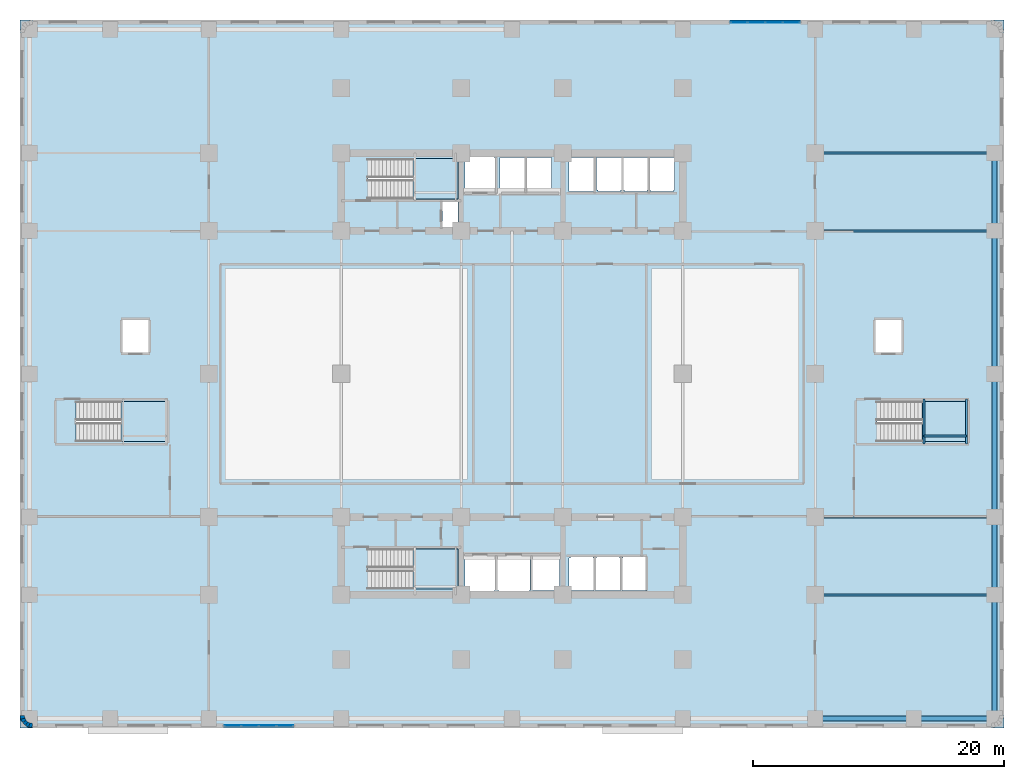
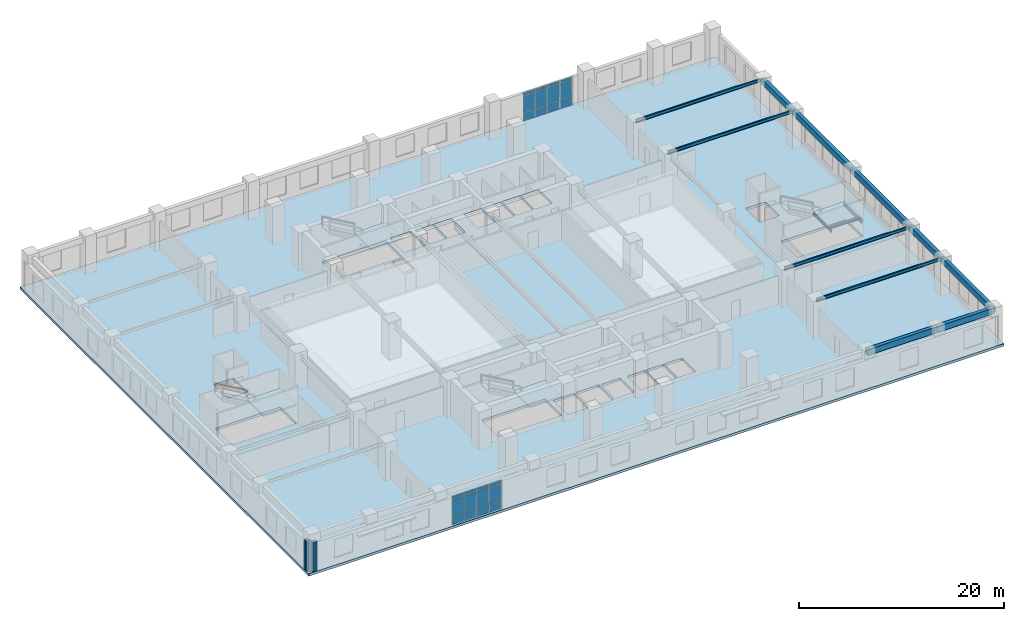
# One storey, part 5 of 15: 24 plates, 14 beams, 5 slabs, 5 walls, 6 elements without a shape of their own.
"""IFC4 building model written with IfcOpenShell, lengths in metres."""

from ifc_helpers import new_model, si_unit, direction, frame, frame_2d, origin, origin_2d, place, context, subcontext, project, spatial, polyline, rectangle, i_section, outline, extrude, material, layer, layer_set, material_profile, profile_set, type_object, element, aggregate, save


model = new_model("IFC4")

# Units and contexts
model_context = context("Model", 3, precision=1e-05, world=origin(), true_north=direction((0.0, 1.0)))
body_context = subcontext(model_context, "Body", "Model", "MODEL_VIEW")
ifc_project = project(units=[si_unit("LENGTHUNIT", "METRE"), si_unit("AREAUNIT", "SQUARE_METRE"), si_unit("VOLUMEUNIT", "CUBIC_METRE"), si_unit("PLANEANGLEUNIT", "RADIAN"), si_unit("MASSUNIT", "GRAM", prefix="KILO")], contexts=[model_context])

# Site, building, storey
site_placement = place(None, origin())
site = spatial("IfcSite", under=ifc_project, at=site_placement, CompositionType="ELEMENT")
building_placement = place(site_placement, origin())
building = spatial("IfcBuilding", under=site, at=building_placement, Name="Svetorya Sky Lyceum", CompositionType="ELEMENT")
storey_placement = place(building_placement, frame((0.0, 0.0, 6.60009765625)))
storey = spatial("IfcBuildingStorey", under=building, at=storey_placement, Name="L01", CompositionType="ELEMENT", Elevation=6.60009765625)

# Beams
ifc_material_1 = material(Name="Concrete C50/60", Category="concrete")
ifc_material_profile_1 = material_profile(ifc_material_1, rectangle(XDim=0.39990234375, YDim=0.699951171875, at=origin_2d()), Name="RC SPANDREL 400x700")
ifc_profile_set_1 = profile_set([ifc_material_profile_1], Name="Concrete C50/60")
beam_type_1 = type_object("IfcBeamType", Name="BM-SPN-700", PredefinedType="SPANDREL", material=ifc_profile_set_1)
beam_1_placement = place(storey_placement, frame((63.35009765625, 0.75, 3.849853515625), z_axis=(1.0, 0.0, 0.0), x_axis=(0.0, 1.0, 0.0)))
element("IfcBeam", 1, at=beam_1_placement, inside=storey, type_object=beam_type_1, Name="L01 Podium South Spandrel 7", PredefinedType="SPANDREL", context=body_context, shape_type="SweptSolid", body=[
    extrude(rectangle(XDim=0.39990234375, YDim=0.699951171875, at=origin_2d()), origin(), (0.0, 0.0, 1.0), 7.849853515625),
])
beam_2_placement = place(storey_placement, frame((71.199951171875, 0.75, 3.849853515625), z_axis=(1.0, 0.0, 0.0), x_axis=(0.0, 1.0, 0.0)))
element("IfcBeam", 2, at=beam_2_placement, inside=storey, type_object=beam_type_1, Name="L01 Podium South Spandrel 8", PredefinedType="SPANDREL", context=body_context, shape_type="SweptSolid", body=[
    extrude(rectangle(XDim=0.39990234375, YDim=0.699951171875, at=origin_2d()), origin(), (0.0, 0.0, 1.0), 6.449951171875),
])
beam_3_placement = place(storey_placement, frame((77.64990234375, 0.75, 3.849853515625), z_axis=(0.0, 1.0, 0.0), x_axis=(-1.0, 0.0, 0.0)))
element("IfcBeam", 3, at=beam_3_placement, inside=storey, type_object=beam_type_1, Name="L01 Podium East Spandrel 1", PredefinedType="SPANDREL", context=body_context, shape_type="SweptSolid", body=[
    extrude(rectangle(XDim=0.39990234375, YDim=0.699951171875, at=origin_2d()), origin(), (0.0, 0.0, 1.0), 9.85009765625),
])
beam_4_placement = place(storey_placement, frame((77.64990234375, 10.60009765625, 3.849853515625), z_axis=(0.0, 1.0, 0.0), x_axis=(-1.0, 0.0, 0.0)))
element("IfcBeam", 4, at=beam_4_placement, inside=storey, type_object=beam_type_1, Name="L01 Podium East Spandrel 2", PredefinedType="SPANDREL", context=body_context, shape_type="SweptSolid", body=[
    extrude(rectangle(XDim=0.39990234375, YDim=0.699951171875, at=origin_2d()), origin(), (0.0, 0.0, 1.0), 6.199951171875),
])
beam_5_placement = place(storey_placement, frame((77.64990234375, 16.800048828125, 3.849853515625), z_axis=(0.0, 1.0, 0.0), x_axis=(-1.0, 0.0, 0.0)))
element("IfcBeam", 5, at=beam_5_placement, inside=storey, type_object=beam_type_1, Name="L01 Podium East Spandrel 3", PredefinedType="SPANDREL", context=body_context, shape_type="SweptSolid", body=[
    extrude(rectangle(XDim=0.39990234375, YDim=0.699951171875, at=origin_2d()), origin(), (0.0, 0.0, 1.0), 11.39990234375),
])
beam_6_placement = place(storey_placement, frame((77.64990234375, 28.199951171875, 3.849853515625), z_axis=(0.0, 1.0, 0.0), x_axis=(-1.0, 0.0, 0.0)))
element("IfcBeam", 6, at=beam_6_placement, inside=storey, type_object=beam_type_1, Name="L01 Podium East Spandrel 4", PredefinedType="SPANDREL", context=body_context, shape_type="SweptSolid", body=[
    extrude(rectangle(XDim=0.39990234375, YDim=0.699951171875, at=origin_2d()), origin(), (0.0, 0.0, 1.0), 11.400146484375),
])
beam_7_placement = place(storey_placement, frame((77.64990234375, 39.60009765625, 3.849853515625), z_axis=(0.0, 1.0, 0.0), x_axis=(-1.0, 0.0, 0.0)))
element("IfcBeam", 7, at=beam_7_placement, inside=storey, type_object=beam_type_1, Name="L01 Podium East Spandrel 5", PredefinedType="SPANDREL", context=body_context, shape_type="SweptSolid", body=[
    extrude(rectangle(XDim=0.39990234375, YDim=0.699951171875, at=origin_2d()), origin(), (0.0, 0.0, 1.0), 6.199951171875),
])
ifc_material_2 = material(Name="Steel S355", Category="steel")
ifc_material_profile_2 = material_profile(ifc_material_2, i_section(OverallWidth=0.14990234375, OverallDepth=0.299072265625, WebThickness=0.006591796875, FlangeThickness=0.010498046875, at=origin_2d()), Name="GOST 30B2")
ifc_profile_set_2 = profile_set([ifc_material_profile_2], Name="Steel S355")
beam_type_2 = type_object("IfcBeamType", Name="BM-STL-30B2", PredefinedType="JOIST", material=ifc_profile_set_2)
for number, where, z_axis, x_axis, name in (
    (8, (72.030029296875, 22.60009765625, 1.900390625), (0.0, 1.0, 0.0), (-1.0, 0.0, 0.0), "L01 Stair ST-SCH-E Half-Landing Support Beam 2.1"),
    (9, (75.419921875, 22.60009765625, 1.900390625), (0.0, 1.0, 0.0), (-1.0, 0.0, 0.0), "L01 Stair ST-SCH-E Half-Landing Support Beam 2.2"),
):
    element("IfcBeam", number, at=place(storey_placement, frame(where, z_axis=z_axis, x_axis=x_axis)), inside=storey, type_object=beam_type_2, Name=name, PredefinedType="JOIST", context=body_context, shape_type="SweptSolid", body=[
        extrude(i_section(OverallWidth=0.14990234375, OverallDepth=0.299072265625, WebThickness=0.006591796875, FlangeThickness=0.010498046875, at=origin_2d()), origin(), (0.0, 0.0, 1.0), 3.599853515625),
    ])
beam_8_placement = place(storey_placement, frame((72.030029296875, 23.25, 1.900390625), z_axis=(1.0, 0.0, 0.0), x_axis=(0.0, 1.0, 0.0)))
element("IfcBeam", 10, at=beam_8_placement, inside=storey, type_object=beam_type_2, Name="L01 Stair ST-SCH-E Half-Landing Cross Tie 2", PredefinedType="JOIST", context=body_context, shape_type="SweptSolid", body=[
    extrude(i_section(OverallWidth=0.14990234375, OverallDepth=0.299072265625, WebThickness=0.006591796875, FlangeThickness=0.010498046875, at=origin_2d()), origin(), (0.0, 0.0, 1.0), 3.389892578125),
])
ifc_material_profile_3 = material_profile(ifc_material_2, i_section(OverallWidth=0.155029296875, OverallDepth=0.34912109375, WebThickness=0.007080078125, FlangeThickness=0.011474609375, at=origin_2d()), Name="GOST 35B2")
ifc_profile_set_3 = profile_set([ifc_material_profile_3], Name="Steel S355")
beam_type_3 = type_object("IfcBeamType", Name="BM-STL-35B2", PredefinedType="JOIST", material=ifc_profile_set_3)
for number, where, z_axis, x_axis, name in (
    (11, (63.35009765625, 10.60009765625, 4.025390625), (1.0, 0.0, 0.0), (0.0, 1.0, 0.0), "L01 Podium Wing Joist E1"),
    (12, (63.35009765625, 16.800048828125, 4.025390625), (1.0, 0.0, 0.0), (0.0, 1.0, 0.0), "L01 Podium Wing Joist E2"),
    (13, (63.35009765625, 39.60009765625, 4.025390625), (1.0, 0.0, 0.0), (0.0, 1.0, 0.0), "L01 Podium Wing Joist E3"),
    (14, (63.35009765625, 45.800048828125, 4.025390625), (1.0, 0.0, 0.0), (0.0, 1.0, 0.0), "L01 Podium Wing Joist E4"),
):
    element("IfcBeam", number, at=place(storey_placement, frame(where, z_axis=z_axis, x_axis=x_axis)), inside=storey, type_object=beam_type_3, Name=name, PredefinedType="JOIST", context=body_context, shape_type="SweptSolid", body=[
        extrude(i_section(OverallWidth=0.155029296875, OverallDepth=0.34912109375, WebThickness=0.007080078125, FlangeThickness=0.011474609375, at=origin_2d()), origin(), (0.0, 0.0, 1.0), 14.2998046875),
    ])

# Curtain wall, plates
ifc_material_3 = material(Name="Thermally broken anodized aluminium and triple low-E glass", Category="aluminium")
curtain_wall_type = type_object("IfcCurtainWallType", Name="CW2-SCH-RIB", PredefinedType="NOTDEFINED", material=ifc_material_3)
curtain_wall_1_placement = place(storey_placement, origin())
curtain_wall_1 = element("IfcCurtainWall", 15, at=curtain_wall_1_placement, inside=storey, type_object=curtain_wall_type, Name="L01 Lyceum Classroom Ribbon Curtain Wall 6", PredefinedType="NOTDEFINED")
ifc_material_4 = material(Name="Triple insulated low-E solar-control glass", Category="glass")
ifc_layer_1 = layer(ifc_material_4, 0.048095703125)
ifc_layer_set_1 = layer_set([ifc_layer_1], Name="Triple insulated low-E solar-control glass")
plate_type = type_object("IfcPlateType", Name="CWP-GLZ-48", PredefinedType="CURTAIN_PANEL", material=ifc_layer_set_1)
plate_1_placement = place(storey_placement, frame((16.9462890625, 0.179931640625, 0.0634765625), z_axis=(0.0, 0.0, 1.0), x_axis=(1.0, 0.0, 0.0)))
plate_1 = element("IfcPlate", 16, at=plate_1_placement, type_object=plate_type, Name="CW-2 panel 1.1", PredefinedType="CURTAIN_PANEL", context=body_context, shape_type="SweptSolid", body=[
    extrude(rectangle(XDim=1.305419921875, YDim=0.048095703125, at=origin_2d()), origin(), (0.0, 0.0, 1.0), 0.949462890625),
])
plate_2_placement = place(storey_placement, frame((16.9462890625, 0.179931640625, 1.07470703125), z_axis=(0.0, 0.0, 1.0), x_axis=(1.0, 0.0, 0.0)))
plate_2 = element("IfcPlate", 17, at=plate_2_placement, type_object=plate_type, Name="CW-2 panel 1.2", PredefinedType="CURTAIN_PANEL", context=body_context, shape_type="SweptSolid", body=[
    extrude(rectangle(XDim=1.305419921875, YDim=0.048095703125, at=origin_2d()), origin(), (0.0, 0.0, 1.0), 1.924072265625),
])
plate_3_placement = place(storey_placement, frame((16.9462890625, 0.179931640625, 3.06103515625), z_axis=(0.0, 0.0, 1.0), x_axis=(1.0, 0.0, 0.0)))
plate_3 = element("IfcPlate", 18, at=plate_3_placement, type_object=plate_type, Name="CW-2 panel 1.3", PredefinedType="CURTAIN_PANEL", context=body_context, shape_type="SweptSolid", body=[
    extrude(rectangle(XDim=1.305419921875, YDim=0.048095703125, at=origin_2d()), origin(), (0.0, 0.0, 1.0), 0.35546875),
])
plate_4_placement = place(storey_placement, frame((18.330078125, 0.179931640625, 0.0634765625), z_axis=(0.0, 0.0, 1.0), x_axis=(1.0, 0.0, 0.0)))
plate_4 = element("IfcPlate", 19, at=plate_4_placement, type_object=plate_type, Name="CW-2 panel 2.1", PredefinedType="CURTAIN_PANEL", context=body_context, shape_type="SweptSolid", body=[
    extrude(rectangle(XDim=1.337890625, YDim=0.048095703125, at=origin_2d()), origin(), (0.0, 0.0, 1.0), 0.949462890625),
])
plate_5_placement = place(storey_placement, frame((18.330078125, 0.179931640625, 1.07470703125), z_axis=(0.0, 0.0, 1.0), x_axis=(1.0, 0.0, 0.0)))
plate_5 = element("IfcPlate", 20, at=plate_5_placement, type_object=plate_type, Name="CW-2 panel 2.2", PredefinedType="CURTAIN_PANEL", context=body_context, shape_type="SweptSolid", body=[
    extrude(rectangle(XDim=1.337890625, YDim=0.048095703125, at=origin_2d()), origin(), (0.0, 0.0, 1.0), 1.924072265625),
])
plate_6_placement = place(storey_placement, frame((18.330078125, 0.179931640625, 3.06103515625), z_axis=(0.0, 0.0, 1.0), x_axis=(1.0, 0.0, 0.0)))
plate_6 = element("IfcPlate", 21, at=plate_6_placement, type_object=plate_type, Name="CW-2 panel 2.3", PredefinedType="CURTAIN_PANEL", context=body_context, shape_type="SweptSolid", body=[
    extrude(rectangle(XDim=1.337890625, YDim=0.048095703125, at=origin_2d()), origin(), (0.0, 0.0, 1.0), 0.35546875),
])
plate_7_placement = place(storey_placement, frame((19.72998046875, 0.179931640625, 0.0634765625), z_axis=(0.0, 0.0, 1.0), x_axis=(1.0, 0.0, 0.0)))
plate_7 = element("IfcPlate", 22, at=plate_7_placement, type_object=plate_type, Name="CW-2 panel 3.1", PredefinedType="CURTAIN_PANEL", context=body_context, shape_type="SweptSolid", body=[
    extrude(rectangle(XDim=1.337890625, YDim=0.048095703125, at=origin_2d()), origin(), (0.0, 0.0, 1.0), 0.949462890625),
])
plate_8_placement = place(storey_placement, frame((19.72998046875, 0.179931640625, 1.07470703125), z_axis=(0.0, 0.0, 1.0), x_axis=(1.0, 0.0, 0.0)))
plate_8 = element("IfcPlate", 23, at=plate_8_placement, type_object=plate_type, Name="CW-2 panel 3.2", PredefinedType="CURTAIN_PANEL", context=body_context, shape_type="SweptSolid", body=[
    extrude(rectangle(XDim=1.337890625, YDim=0.048095703125, at=origin_2d()), origin(), (0.0, 0.0, 1.0), 1.924072265625),
])
plate_9_placement = place(storey_placement, frame((19.72998046875, 0.179931640625, 3.06103515625), z_axis=(0.0, 0.0, 1.0), x_axis=(1.0, 0.0, 0.0)))
plate_9 = element("IfcPlate", 24, at=plate_9_placement, type_object=plate_type, Name="CW-2 panel 3.3", PredefinedType="CURTAIN_PANEL", context=body_context, shape_type="SweptSolid", body=[
    extrude(rectangle(XDim=1.337890625, YDim=0.048095703125, at=origin_2d()), origin(), (0.0, 0.0, 1.0), 0.35546875),
])
plate_10_placement = place(storey_placement, frame((21.11376953125, 0.179931640625, 0.0634765625), z_axis=(0.0, 0.0, 1.0), x_axis=(1.0, 0.0, 0.0)))
plate_10 = element("IfcPlate", 25, at=plate_10_placement, type_object=plate_type, Name="CW-2 panel 4.1", PredefinedType="CURTAIN_PANEL", context=body_context, shape_type="SweptSolid", body=[
    extrude(rectangle(XDim=1.305419921875, YDim=0.048095703125, at=origin_2d()), origin(), (0.0, 0.0, 1.0), 0.949462890625),
])
plate_11_placement = place(storey_placement, frame((21.11376953125, 0.179931640625, 1.07470703125), z_axis=(0.0, 0.0, 1.0), x_axis=(1.0, 0.0, 0.0)))
plate_11 = element("IfcPlate", 26, at=plate_11_placement, type_object=plate_type, Name="CW-2 panel 4.2", PredefinedType="CURTAIN_PANEL", context=body_context, shape_type="SweptSolid", body=[
    extrude(rectangle(XDim=1.305419921875, YDim=0.048095703125, at=origin_2d()), origin(), (0.0, 0.0, 1.0), 1.924072265625),
])
plate_12_placement = place(storey_placement, frame((21.11376953125, 0.179931640625, 3.06103515625), z_axis=(0.0, 0.0, 1.0), x_axis=(1.0, 0.0, 0.0)))
plate_12 = element("IfcPlate", 27, at=plate_12_placement, type_object=plate_type, Name="CW-2 panel 4.3", PredefinedType="CURTAIN_PANEL", context=body_context, shape_type="SweptSolid", body=[
    extrude(rectangle(XDim=1.305419921875, YDim=0.048095703125, at=origin_2d()), origin(), (0.0, 0.0, 1.0), 0.35546875),
])
aggregate(curtain_wall_1, [plate_1, plate_2, plate_3, plate_4, plate_5, plate_6, plate_7, plate_8, plate_9, plate_10, plate_11, plate_12])

curtain_wall_2_placement = place(storey_placement, origin())
curtain_wall_2 = element("IfcCurtainWall", 28, at=curtain_wall_2_placement, inside=storey, type_object=curtain_wall_type, Name="L01 Lyceum Classroom Ribbon Curtain Wall 18", PredefinedType="NOTDEFINED")
plate_13_placement = place(storey_placement, frame((61.453857421875, 56.219970703125, 0.0634765625), z_axis=(0.0, 0.0, 1.0), x_axis=(-1.0, 0.0, 0.0)))
plate_13 = element("IfcPlate", 29, at=plate_13_placement, type_object=plate_type, Name="CW-2 panel 1.1", PredefinedType="CURTAIN_PANEL", context=body_context, shape_type="SweptSolid", body=[
    extrude(rectangle(XDim=1.305419921875, YDim=0.048095703125, at=origin_2d()), origin(), (0.0, 0.0, 1.0), 0.949462890625),
])
plate_14_placement = place(storey_placement, frame((61.453857421875, 56.219970703125, 1.07470703125), z_axis=(0.0, 0.0, 1.0), x_axis=(-1.0, 0.0, 0.0)))
plate_14 = element("IfcPlate", 30, at=plate_14_placement, type_object=plate_type, Name="CW-2 panel 1.2", PredefinedType="CURTAIN_PANEL", context=body_context, shape_type="SweptSolid", body=[
    extrude(rectangle(XDim=1.305419921875, YDim=0.048095703125, at=origin_2d()), origin(), (0.0, 0.0, 1.0), 1.924072265625),
])
plate_15_placement = place(storey_placement, frame((61.453857421875, 56.219970703125, 3.06103515625), z_axis=(0.0, 0.0, 1.0), x_axis=(-1.0, 0.0, 0.0)))
plate_15 = element("IfcPlate", 31, at=plate_15_placement, type_object=plate_type, Name="CW-2 panel 1.3", PredefinedType="CURTAIN_PANEL", context=body_context, shape_type="SweptSolid", body=[
    extrude(rectangle(XDim=1.305419921875, YDim=0.048095703125, at=origin_2d()), origin(), (0.0, 0.0, 1.0), 0.35546875),
])
plate_16_placement = place(storey_placement, frame((60.070068359375, 56.219970703125, 0.0634765625), z_axis=(0.0, 0.0, 1.0), x_axis=(-1.0, 0.0, 0.0)))
plate_16 = element("IfcPlate", 32, at=plate_16_placement, type_object=plate_type, Name="CW-2 panel 2.1", PredefinedType="CURTAIN_PANEL", context=body_context, shape_type="SweptSolid", body=[
    extrude(rectangle(XDim=1.337890625, YDim=0.048095703125, at=origin_2d()), origin(), (0.0, 0.0, 1.0), 0.949462890625),
])
plate_17_placement = place(storey_placement, frame((60.070068359375, 56.219970703125, 1.07470703125), z_axis=(0.0, 0.0, 1.0), x_axis=(-1.0, 0.0, 0.0)))
plate_17 = element("IfcPlate", 33, at=plate_17_placement, type_object=plate_type, Name="CW-2 panel 2.2", PredefinedType="CURTAIN_PANEL", context=body_context, shape_type="SweptSolid", body=[
    extrude(rectangle(XDim=1.337890625, YDim=0.048095703125, at=origin_2d()), origin(), (0.0, 0.0, 1.0), 1.924072265625),
])
plate_18_placement = place(storey_placement, frame((60.070068359375, 56.219970703125, 3.06103515625), z_axis=(0.0, 0.0, 1.0), x_axis=(-1.0, 0.0, 0.0)))
plate_18 = element("IfcPlate", 34, at=plate_18_placement, type_object=plate_type, Name="CW-2 panel 2.3", PredefinedType="CURTAIN_PANEL", context=body_context, shape_type="SweptSolid", body=[
    extrude(rectangle(XDim=1.337890625, YDim=0.048095703125, at=origin_2d()), origin(), (0.0, 0.0, 1.0), 0.35546875),
])
plate_19_placement = place(storey_placement, frame((58.669921875, 56.219970703125, 0.0634765625), z_axis=(0.0, 0.0, 1.0), x_axis=(-1.0, 0.0, 0.0)))
plate_19 = element("IfcPlate", 35, at=plate_19_placement, type_object=plate_type, Name="CW-2 panel 3.1", PredefinedType="CURTAIN_PANEL", context=body_context, shape_type="SweptSolid", body=[
    extrude(rectangle(XDim=1.337890625, YDim=0.048095703125, at=origin_2d()), origin(), (0.0, 0.0, 1.0), 0.949462890625),
])
plate_20_placement = place(storey_placement, frame((58.669921875, 56.219970703125, 1.07470703125), z_axis=(0.0, 0.0, 1.0), x_axis=(-1.0, 0.0, 0.0)))
plate_20 = element("IfcPlate", 36, at=plate_20_placement, type_object=plate_type, Name="CW-2 panel 3.2", PredefinedType="CURTAIN_PANEL", context=body_context, shape_type="SweptSolid", body=[
    extrude(rectangle(XDim=1.337890625, YDim=0.048095703125, at=origin_2d()), origin(), (0.0, 0.0, 1.0), 1.924072265625),
])
plate_21_placement = place(storey_placement, frame((58.669921875, 56.219970703125, 3.06103515625), z_axis=(0.0, 0.0, 1.0), x_axis=(-1.0, 0.0, 0.0)))
plate_21 = element("IfcPlate", 37, at=plate_21_placement, type_object=plate_type, Name="CW-2 panel 3.3", PredefinedType="CURTAIN_PANEL", context=body_context, shape_type="SweptSolid", body=[
    extrude(rectangle(XDim=1.337890625, YDim=0.048095703125, at=origin_2d()), origin(), (0.0, 0.0, 1.0), 0.35546875),
])
plate_22_placement = place(storey_placement, frame((57.2861328125, 56.219970703125, 0.0634765625), z_axis=(0.0, 0.0, 1.0), x_axis=(-1.0, 0.0, 0.0)))
plate_22 = element("IfcPlate", 38, at=plate_22_placement, type_object=plate_type, Name="CW-2 panel 4.1", PredefinedType="CURTAIN_PANEL", context=body_context, shape_type="SweptSolid", body=[
    extrude(rectangle(XDim=1.305419921875, YDim=0.048095703125, at=origin_2d()), origin(), (0.0, 0.0, 1.0), 0.949462890625),
])
plate_23_placement = place(storey_placement, frame((57.2861328125, 56.219970703125, 1.07470703125), z_axis=(0.0, 0.0, 1.0), x_axis=(-1.0, 0.0, 0.0)))
plate_23 = element("IfcPlate", 39, at=plate_23_placement, type_object=plate_type, Name="CW-2 panel 4.2", PredefinedType="CURTAIN_PANEL", context=body_context, shape_type="SweptSolid", body=[
    extrude(rectangle(XDim=1.305419921875, YDim=0.048095703125, at=origin_2d()), origin(), (0.0, 0.0, 1.0), 1.924072265625),
])
plate_24_placement = place(storey_placement, frame((57.2861328125, 56.219970703125, 3.06103515625), z_axis=(0.0, 0.0, 1.0), x_axis=(-1.0, 0.0, 0.0)))
plate_24 = element("IfcPlate", 40, at=plate_24_placement, type_object=plate_type, Name="CW-2 panel 4.3", PredefinedType="CURTAIN_PANEL", context=body_context, shape_type="SweptSolid", body=[
    extrude(rectangle(XDim=1.305419921875, YDim=0.048095703125, at=origin_2d()), origin(), (0.0, 0.0, 1.0), 0.35546875),
])
aggregate(curtain_wall_2, [plate_13, plate_14, plate_15, plate_16, plate_17, plate_18, plate_19, plate_20, plate_21, plate_22, plate_23, plate_24])

# Slab
ifc_material_5 = material(Name="Concrete C40/50", Category="concrete")
ifc_layer_2 = layer(ifc_material_5, 0.300048828125)
ifc_layer_set_2 = layer_set([ifc_layer_2], Name="Concrete C40/50")
slab_type_1 = type_object("IfcSlabType", Name="SL-POD-300", PredefinedType="FLOOR", material=ifc_layer_set_2)
slab_1_placement = place(storey_placement, frame((0.0, 0.0, -0.300048828125)))
element("IfcSlab", 41, at=slab_1_placement, inside=storey, type_object=slab_type_1, Name="L01 Structural Floor Slab", PredefinedType="FLOOR", context=body_context, shape_type="SweptSolid", body=[
    extrude(outline(polyline([(0.0, 0.0), (78.39990234375, 0.0), (78.39990234375, 56.39990234375), (0.0, 56.39990234375), (0.0, 0.0)]), holes=[polyline([(40.64990234375, 10.949951171875), (40.550048828125, 10.949951171875), (40.550048828125, 10.800048828125), (38.14990234375, 10.800048828125), (38.14990234375, 10.949951171875), (38.050048828125, 10.949951171875), (38.050048828125, 13.64990234375), (38.14990234375, 13.64990234375), (38.14990234375, 13.699951171875), (40.550048828125, 13.699951171875), (40.550048828125, 13.64990234375), (40.64990234375, 13.64990234375), (40.64990234375, 10.949951171875)]), polyline([(35.550048828125, 10.949951171875), (35.449951171875, 10.949951171875), (35.449951171875, 13.64990234375), (35.550048828125, 13.64990234375), (37.75, 13.64990234375), (37.85009765625, 13.64990234375), (37.85009765625, 10.949951171875), (37.75, 10.949951171875), (37.75, 10.85009765625), (35.550048828125, 10.85009765625), (35.550048828125, 10.949951171875)]), polyline([(40.85009765625, 13.64990234375), (43.0, 13.64990234375), (43.0, 10.949951171875), (40.85009765625, 10.949951171875), (40.85009765625, 13.64990234375)]), polyline([(27.719970703125, 14.25), (34.89990234375, 14.25), (34.89990234375, 11.050048828125), (27.719970703125, 11.050048828125), (27.719970703125, 14.25)]), polyline([(4.469970703125, 26.0), (11.800048828125, 26.0), (11.800048828125, 22.800048828125), (4.469970703125, 22.800048828125), (4.469970703125, 26.0)]), polyline([(8.10009765625, 32.550048828125), (10.300048828125, 32.550048828125), (10.300048828125, 29.85009765625), (8.10009765625, 29.85009765625), (8.10009765625, 32.550048828125)]), polyline([(33.64990234375, 41.89990234375), (34.89990234375, 41.89990234375), (34.89990234375, 39.820068359375), (33.64990234375, 39.820068359375), (33.64990234375, 41.89990234375)]), polyline([(27.719970703125, 45.35009765625), (34.89990234375, 45.35009765625), (34.89990234375, 42.14990234375), (27.719970703125, 42.14990234375), (27.719970703125, 45.35009765625)]), polyline([(35.550048828125, 42.75), (35.449951171875, 42.75), (35.449951171875, 45.449951171875), (35.550048828125, 45.449951171875), (35.550048828125, 45.550048828125), (37.75, 45.550048828125), (37.75, 45.449951171875), (37.85009765625, 45.449951171875), (37.85009765625, 42.75), (37.75, 42.75), (35.550048828125, 42.75)]), polyline([(40.199951171875, 42.85009765625), (40.199951171875, 42.75), (38.39990234375, 42.75), (38.39990234375, 42.85009765625), (38.25, 42.85009765625), (38.25, 45.449951171875), (38.39990234375, 45.449951171875), (40.199951171875, 45.449951171875), (40.25, 45.449951171875), (40.25, 42.85009765625), (40.199951171875, 42.85009765625)]), polyline([(42.300048828125, 42.85009765625), (42.300048828125, 42.75), (40.39990234375, 42.75), (40.39990234375, 42.85009765625), (40.35009765625, 42.85009765625), (40.35009765625, 45.449951171875), (40.39990234375, 45.449951171875), (42.300048828125, 45.449951171875), (42.35009765625, 45.449951171875), (42.35009765625, 42.85009765625), (42.300048828125, 42.85009765625)]), polyline([(45.64990234375, 13.550048828125), (45.75, 13.550048828125), (45.75, 10.949951171875), (45.64990234375, 10.949951171875), (43.85009765625, 10.949951171875), (43.75, 10.949951171875), (43.75, 13.550048828125), (43.85009765625, 13.550048828125), (43.85009765625, 13.60009765625), (45.64990234375, 13.60009765625), (45.64990234375, 13.550048828125)]), polyline([(48.050048828125, 10.949951171875), (47.949951171875, 10.949951171875), (47.949951171875, 13.550048828125), (48.050048828125, 13.550048828125), (48.050048828125, 13.60009765625), (49.85009765625, 13.60009765625), (49.85009765625, 13.550048828125), (49.949951171875, 13.550048828125), (49.949951171875, 10.949951171875), (49.85009765625, 10.949951171875), (48.050048828125, 10.949951171875)]), polyline([(45.949951171875, 10.949951171875), (45.85009765625, 10.949951171875), (45.85009765625, 13.550048828125), (45.949951171875, 13.550048828125), (45.949951171875, 13.60009765625), (47.75, 13.60009765625), (47.75, 13.550048828125), (47.85009765625, 13.550048828125), (47.85009765625, 10.949951171875), (47.75, 10.949951171875), (45.949951171875, 10.949951171875)]), polyline([(68.27001953125, 26.0), (75.60009765625, 26.0), (75.60009765625, 22.800048828125), (68.27001953125, 22.800048828125), (68.27001953125, 26.0)]), polyline([(68.10009765625, 32.550048828125), (70.300048828125, 32.550048828125), (70.300048828125, 29.85009765625), (68.10009765625, 29.85009765625), (68.10009765625, 32.550048828125)]), polyline([(46.050048828125, 42.85009765625), (45.949951171875, 42.85009765625), (45.949951171875, 45.449951171875), (46.050048828125, 45.449951171875), (47.85009765625, 45.449951171875), (47.949951171875, 45.449951171875), (47.949951171875, 42.85009765625), (47.85009765625, 42.85009765625), (47.85009765625, 42.75), (46.050048828125, 42.75), (46.050048828125, 42.85009765625)]), polyline([(43.75, 42.85009765625), (43.75, 45.449951171875), (45.699951171875, 45.449951171875), (45.75, 45.449951171875), (45.75, 42.85009765625), (45.699951171875, 42.85009765625), (45.699951171875, 42.75), (43.75, 42.75), (43.75, 42.85009765625)]), polyline([(48.14990234375, 42.85009765625), (48.050048828125, 42.85009765625), (48.050048828125, 45.449951171875), (48.14990234375, 45.449951171875), (49.949951171875, 45.449951171875), (50.050048828125, 45.449951171875), (50.050048828125, 42.85009765625), (49.949951171875, 42.85009765625), (49.949951171875, 42.75), (48.14990234375, 42.75), (48.14990234375, 42.85009765625)]), polyline([(52.050048828125, 42.85009765625), (52.050048828125, 42.75), (50.25, 42.75), (50.25, 42.85009765625), (50.14990234375, 42.85009765625), (50.14990234375, 45.449951171875), (50.25, 45.449951171875), (52.050048828125, 45.449951171875), (52.14990234375, 45.449951171875), (52.14990234375, 42.85009765625), (52.050048828125, 42.85009765625)])]), origin(), (0.0, 0.0, 1.0), 0.300048828125),
])

# Stair, slab
stair_type_1 = type_object("IfcStairType", Name="STR-ST-S", PredefinedType="HALF_TURN_STAIR", material=ifc_material_5)
stair_1_placement = place(storey_placement, origin())
stair_1 = element("IfcStair", 42, at=stair_1_placement, inside=storey, type_object=stair_type_1, Name="L01 South Core Smoke-Free Exit Stair N2", PredefinedType="HALF_TURN_STAIR")
ifc_layer_3 = layer(ifc_material_5, 0.199951171875)
ifc_layer_set_3 = layer_set([ifc_layer_3], Name="Concrete C40/50")
slab_type_2 = type_object("IfcSlabType", Name="SL-STR-LAND-200", PredefinedType="LANDING", material=ifc_layer_set_3)
slab_2_placement = place(storey_placement, frame((0.0, 0.0, 2.0498046875)))
slab_2 = element("IfcSlab", 43, at=slab_2_placement, type_object=slab_type_2, Name="ST-S landing 1", PredefinedType="LANDING", context=body_context, shape_type="SweptSolid", body=[
    extrude(outline(polyline([(31.300048828125, 11.050048828125), (34.89990234375, 11.050048828125), (34.89990234375, 14.25), (31.300048828125, 14.25), (31.300048828125, 11.050048828125)])), origin(), (0.0, 0.0, 1.0), 0.2001953125),
])
aggregate(stair_1, [slab_2])

stair_type_2 = type_object("IfcStairType", Name="STR-ST-N", PredefinedType="HALF_TURN_STAIR", material=ifc_material_5)
stair_2_placement = place(storey_placement, origin())
stair_2 = element("IfcStair", 44, at=stair_2_placement, inside=storey, type_object=stair_type_2, Name="L01 North Core Smoke-Free Exit Stair N3", PredefinedType="HALF_TURN_STAIR")
slab_3_placement = place(storey_placement, frame((0.0, 0.0, 2.0498046875)))
slab_3 = element("IfcSlab", 45, at=slab_3_placement, type_object=slab_type_2, Name="ST-N landing 1", PredefinedType="LANDING", context=body_context, shape_type="SweptSolid", body=[
    extrude(outline(polyline([(31.300048828125, 42.14990234375), (34.89990234375, 42.14990234375), (34.89990234375, 45.35009765625), (31.300048828125, 45.35009765625), (31.300048828125, 42.14990234375)])), origin(), (0.0, 0.0, 1.0), 0.2001953125),
])
aggregate(stair_2, [slab_3])

stair_type_3 = type_object("IfcStairType", Name="STR-ST-SCH-W", PredefinedType="HALF_TURN_STAIR", material=ifc_material_5)
stair_3_placement = place(storey_placement, origin())
stair_3 = element("IfcStair", 46, at=stair_3_placement, inside=storey, type_object=stair_type_3, Name="L01 West Lyceum Podium Dedicated Stair", PredefinedType="HALF_TURN_STAIR")
slab_4_placement = place(storey_placement, frame((0.0, 0.0, 2.0498046875)))
slab_4 = element("IfcSlab", 47, at=slab_4_placement, type_object=slab_type_2, Name="ST-SCH-W landing 1", PredefinedType="LANDING", context=body_context, shape_type="SweptSolid", body=[
    extrude(outline(polyline([(8.050048828125, 22.800048828125), (11.800048828125, 22.800048828125), (11.800048828125, 26.0), (8.050048828125, 26.0), (8.050048828125, 22.800048828125)])), origin(), (0.0, 0.0, 1.0), 0.2001953125),
])
aggregate(stair_3, [slab_4])

stair_type_4 = type_object("IfcStairType", Name="STR-ST-SCH-E", PredefinedType="HALF_TURN_STAIR", material=ifc_material_5)
stair_4_placement = place(storey_placement, origin())
stair_4 = element("IfcStair", 48, at=stair_4_placement, inside=storey, type_object=stair_type_4, Name="L01 East Lyceum Podium Dedicated Stair", PredefinedType="HALF_TURN_STAIR")
slab_5_placement = place(storey_placement, frame((0.0, 0.0, 2.0498046875)))
slab_5 = element("IfcSlab", 49, at=slab_5_placement, type_object=slab_type_2, Name="ST-SCH-E landing 1", PredefinedType="LANDING", context=body_context, shape_type="SweptSolid", body=[
    extrude(outline(polyline([(71.85009765625, 22.800048828125), (75.60009765625, 22.800048828125), (75.60009765625, 26.0), (71.85009765625, 26.0), (71.85009765625, 22.800048828125)])), origin(), (0.0, 0.0, 1.0), 0.2001953125),
])
aggregate(stair_4, [slab_5])

# Walls
ifc_material_6 = material(Name="Putilovo limestone rainscreen on autoclaved cellular masonry", Category="masonry")
ifc_layer_4 = layer(ifc_material_6, 0.360107421875)
ifc_layer_set_4 = layer_set([ifc_layer_4], Name="Putilovo limestone rainscreen on autoclaved cellular masonry")
wall_type = type_object("IfcWallType", Name="WL-EXT-360", PredefinedType="SOLIDWALL", material=ifc_layer_set_4)
for number, where, z_axis, x_axis, name in (
    (50, (0.179931640625, 0.97998046875, 0.0), (0.0, 0.0, 1.0), (0.157115048735, -0.987580306335, 0.0), "L01 Limestone Exterior Wall 1M"),
    (51, (0.21923828125, 0.73291015625, 0.0), (0.0, 0.0, 1.0), (0.453443653591, -0.891284944907, 0.0), "L01 Limestone Exterior Wall 2M"),
    (52, (0.332763671875, 0.509765625, 0.0), (0.0, 0.0, 1.0), (0.707106781187, -0.707106781187, 0.0), "L01 Limestone Exterior Wall 3M"),
    (53, (0.509765625, 0.332763671875, 0.0), (0.0, 0.0, 1.0), (0.891284944907, -0.453443653591, 0.0), "L01 Limestone Exterior Wall 4M"),
    (54, (0.73291015625, 0.21923828125, 0.0), (0.0, 0.0, 1.0), (0.987580306335, -0.157115048735, 0.0), "L01 Limestone Exterior Wall 5M"),
):
    element("IfcWall", number, at=place(storey_placement, frame(where, z_axis=z_axis, x_axis=x_axis)), inside=storey, type_object=wall_type, Name=name, PredefinedType="SOLIDWALL", context=body_context, shape_type="SweptSolid", body=[
        extrude(rectangle(XDim=0.250244140625, YDim=0.360107421875, at=frame_2d((0.125, 0.0))), origin(), (0.0, 0.0, 1.0), 3.47998046875),
    ])

save(model, "model.ifc")
